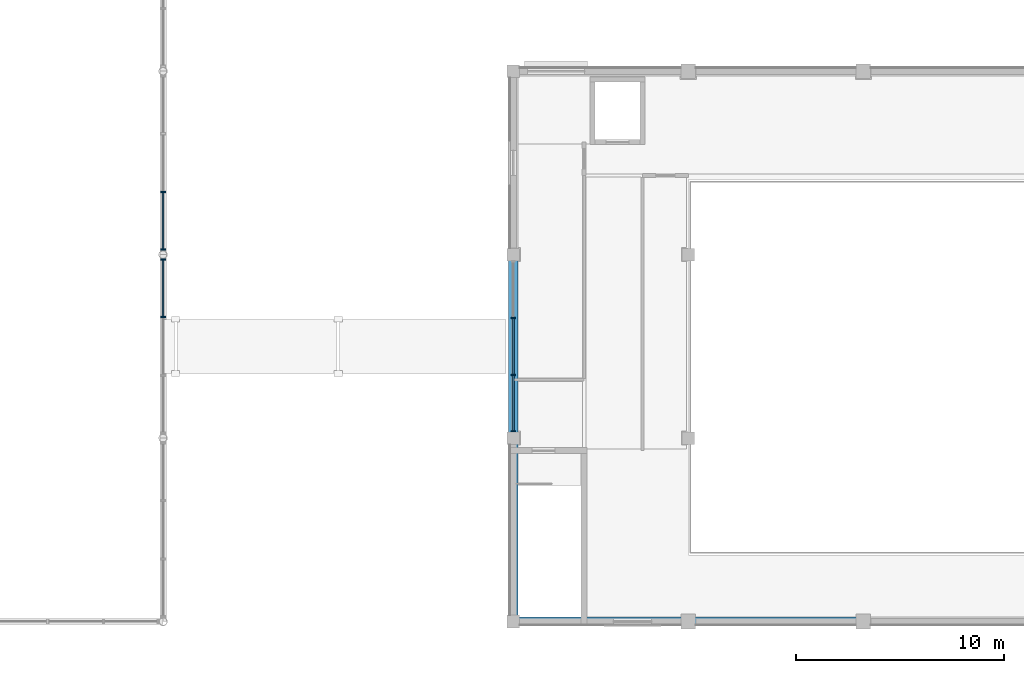
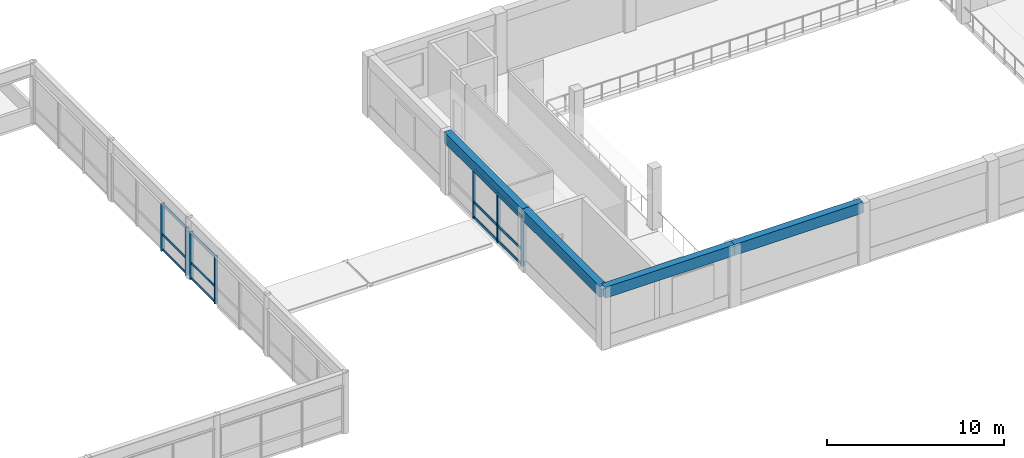
# One storey, part 7 of 46: 19 members, 4 beams, 3 elements without a shape of their own.
"""IFC4 building model written with IfcOpenShell, lengths in metres."""

from ifc_helpers import new_model, si_unit, direction, frame, origin, origin_2d, place, context, subcontext, project, spatial, rectangle, extrude, material, material_profile, profile_set, type_object, element, aggregate, save


model = new_model("IFC4")

# Units and contexts
model_context = context("Model", 3, precision=1e-05, world=origin(), true_north=direction((0.0, 1.0)))
body_context = subcontext(model_context, "Body", "Model", "MODEL_VIEW")
ifc_project = project(units=[si_unit("LENGTHUNIT", "METRE"), si_unit("AREAUNIT", "SQUARE_METRE"), si_unit("VOLUMEUNIT", "CUBIC_METRE"), si_unit("PLANEANGLEUNIT", "RADIAN"), si_unit("MASSUNIT", "GRAM", prefix="KILO")], contexts=[model_context])

# Site, building, storey
site_placement = place(None, origin())
site = spatial("IfcSite", under=ifc_project, at=site_placement, CompositionType="ELEMENT")
building_placement = place(site_placement, origin())
building = spatial("IfcBuilding", under=site, at=building_placement, Name="Kemercrest Conservatory and Botanical Centre", CompositionType="ELEMENT")
storey_placement = place(building_placement, frame((0.0, 0.0, 9.0)))
storey = spatial("IfcBuildingStorey", under=building, at=storey_placement, Name="L02", CompositionType="ELEMENT", Elevation=9.0)

# Curtain wall, members
ifc_material_1 = material(Name="Thermally broken aluminium and triple low-e glazing", Category="aluminium")
curtain_wall_type_1 = type_object("IfcCurtainWallType", Name="CW-30", PredefinedType="USERDEFINED", material=ifc_material_1)
curtain_wall_1_placement = place(storey_placement, origin())
curtain_wall_1 = element("IfcCurtainWall", 1, at=curtain_wall_1_placement, inside=storey, type_object=curtain_wall_type_1, Name="Unitised curtain wall CW-30 (CW:L02:V2-029)", ObjectType="UNITISED CURTAIN WALL", PredefinedType="USERDEFINED")
ifc_material_2 = material(Name="Thermally broken anodized aluminium 6063-T6", Category="aluminium")
ifc_material_profile_1 = material_profile(ifc_material_2, rectangle(XDim=0.199951171875, YDim=0.06494140625, at=origin_2d()), Name="AL MULLION 65x200")
ifc_profile_set_1 = profile_set([ifc_material_profile_1], Name="Thermally broken anodized aluminium 6063-T6")
member_type_1 = type_object("IfcMemberType", Name="CW-M200", PredefinedType="MULLION", material=ifc_profile_set_1)
member_1_placement = place(storey_placement, frame((58.39990234375, 31.368408203125, 0.0), z_axis=(0.0, 0.0, 1.0), x_axis=(1.0, 0.0, 0.0)))
member_1 = element("IfcMember", 2, at=member_1_placement, type_object=member_type_1, Name="CW-30 mullion 2", PredefinedType="MULLION", context=body_context, shape_type="SweptSolid", body=[
    extrude(rectangle(XDim=0.199951171875, YDim=0.06494140625, at=origin_2d()), origin(), (0.0, 0.0, 1.0), 3.455078125),
])
member_2_placement = place(storey_placement, frame((58.39990234375, 28.631591796875, 0.0), z_axis=(0.0, 0.0, 1.0), x_axis=(1.0, 0.0, 0.0)))
member_2 = element("IfcMember", 3, at=member_2_placement, type_object=member_type_1, Name="CW-30 mullion 3", PredefinedType="MULLION", context=body_context, shape_type="SweptSolid", body=[
    extrude(rectangle(XDim=0.199951171875, YDim=0.06494140625, at=origin_2d()), origin(), (0.0, 0.0, 1.0), 3.455078125),
])
member_3_placement = place(storey_placement, frame((58.39990234375, 25.927490234375, 0.0), z_axis=(0.0, 0.0, 1.0), x_axis=(1.0, 0.0, 0.0)))
member_3 = element("IfcMember", 4, at=member_3_placement, type_object=member_type_1, Name="CW-30 mullion 4", PredefinedType="MULLION", context=body_context, shape_type="SweptSolid", body=[
    extrude(rectangle(XDim=0.199951171875, YDim=0.06494140625, at=origin_2d()), origin(), (0.0, 0.0, 1.0), 3.455078125),
])

curtain_wall_type_2 = type_object("IfcCurtainWallType", Name="CW-23", PredefinedType="USERDEFINED", material=ifc_material_1)
curtain_wall_2_placement = place(storey_placement, origin())
curtain_wall_2 = element("IfcCurtainWall", 5, at=curtain_wall_2_placement, inside=storey, type_object=curtain_wall_type_2, Name="Unitised curtain wall CW-23 (CW:L02:V1-022)", ObjectType="UNITISED CURTAIN WALL", PredefinedType="USERDEFINED")
ifc_material_profile_2 = material_profile(ifc_material_2, rectangle(XDim=0.239990234375, YDim=0.074951171875, at=origin_2d()), Name="AL MULLION 75x240")
ifc_profile_set_2 = profile_set([ifc_material_profile_2], Name="Thermally broken anodized aluminium 6063-T6")
member_type_2 = type_object("IfcMemberType", Name="CW-M225", PredefinedType="MULLION", material=ifc_profile_set_2)
member_4_placement = place(storey_placement, frame((41.60009765625, 31.39990234375, 0.0), z_axis=(0.0, 0.0, 1.0), x_axis=(-1.0, 0.0, 0.0)))
member_4 = element("IfcMember", 6, at=member_4_placement, type_object=member_type_2, Name="CW-23 mullion 3", PredefinedType="MULLION", context=body_context, shape_type="SweptSolid", body=[
    extrude(rectangle(XDim=0.239990234375, YDim=0.074951171875, at=origin_2d()), origin(), (0.0, 0.0, 1.0), 3.278076171875),
])
member_5_placement = place(storey_placement, frame((41.60009765625, 34.16259765625, 0.0), z_axis=(0.0, 0.0, 1.0), x_axis=(-1.0, 0.0, 0.0)))
member_5 = element("IfcMember", 7, at=member_5_placement, type_object=member_type_2, Name="CW-23 mullion 4", PredefinedType="MULLION", context=body_context, shape_type="SweptSolid", body=[
    extrude(rectangle(XDim=0.239990234375, YDim=0.074951171875, at=origin_2d()), origin(), (0.0, 0.0, 1.0), 3.278076171875),
])

curtain_wall_type_3 = type_object("IfcCurtainWallType", Name="CW-24", PredefinedType="USERDEFINED", material=ifc_material_1)
curtain_wall_3_placement = place(storey_placement, origin())
curtain_wall_3 = element("IfcCurtainWall", 8, at=curtain_wall_3_placement, inside=storey, type_object=curtain_wall_type_3, Name="Unitised curtain wall CW-24 (CW:L02:V1-023)", ObjectType="UNITISED CURTAIN WALL", PredefinedType="USERDEFINED")
member_6_placement = place(storey_placement, frame((41.60009765625, 34.637451171875, 0.0), z_axis=(0.0, 0.0, 1.0), x_axis=(-1.0, 0.0, 0.0)))
member_6 = element("IfcMember", 9, at=member_6_placement, type_object=member_type_2, Name="CW-24 mullion 1", PredefinedType="MULLION", context=body_context, shape_type="SweptSolid", body=[
    extrude(rectangle(XDim=0.239990234375, YDim=0.074951171875, at=origin_2d()), origin(), (0.0, 0.0, 1.0), 3.278076171875),
])
member_7_placement = place(storey_placement, frame((41.60009765625, 37.39990234375, 0.0), z_axis=(0.0, 0.0, 1.0), x_axis=(-1.0, 0.0, 0.0)))
member_7 = element("IfcMember", 10, at=member_7_placement, type_object=member_type_2, Name="CW-24 mullion 2", PredefinedType="MULLION", context=body_context, shape_type="SweptSolid", body=[
    extrude(rectangle(XDim=0.239990234375, YDim=0.074951171875, at=origin_2d()), origin(), (0.0, 0.0, 1.0), 3.278076171875),
])

# Member
ifc_material_profile_3 = material_profile(ifc_material_2, rectangle(XDim=0.074951171875, YDim=0.179931640625, at=origin_2d()), Name="AL TRANSOM 75x180")
ifc_profile_set_3 = profile_set([ifc_material_profile_3], Name="Thermally broken anodized aluminium 6063-T6")
member_type_3 = type_object("IfcMemberType", Name="CW-T180", PredefinedType="USERDEFINED", material=ifc_profile_set_3)
member_8_placement = place(storey_placement, frame((58.39990234375, 31.3359375, 0.090087890625), z_axis=(0.0, -1.0, 0.0), x_axis=(1.0, 0.0, 0.0)))
member_8 = element("IfcMember", 11, at=member_8_placement, type_object=member_type_3, Name="CW-30 transom 2.1", ObjectType="TRANSOM", PredefinedType="USERDEFINED", context=body_context, shape_type="SweptSolid", body=[
    extrude(rectangle(XDim=0.074951171875, YDim=0.179931640625, at=origin_2d()), origin(), (0.0, 0.0, 1.0), 2.671875),
])

member_9_placement = place(storey_placement, frame((58.39990234375, 31.3359375, 1.1201171875), z_axis=(0.0, -1.0, 0.0), x_axis=(1.0, 0.0, 0.0)))
member_9 = element("IfcMember", 12, at=member_9_placement, type_object=member_type_3, Name="CW-30 transom 2.2", ObjectType="TRANSOM", PredefinedType="USERDEFINED", context=body_context, shape_type="SweptSolid", body=[
    extrude(rectangle(XDim=0.074951171875, YDim=0.179931640625, at=origin_2d()), origin(), (0.0, 0.0, 1.0), 2.671875),
])

member_10_placement = place(storey_placement, frame((58.39990234375, 31.3359375, 3.364990234375), z_axis=(0.0, -1.0, 0.0), x_axis=(1.0, 0.0, 0.0)))
member_10 = element("IfcMember", 13, at=member_10_placement, type_object=member_type_3, Name="CW-30 transom 2.3", ObjectType="TRANSOM", PredefinedType="USERDEFINED", context=body_context, shape_type="SweptSolid", body=[
    extrude(rectangle(XDim=0.074951171875, YDim=0.179931640625, at=origin_2d()), origin(), (0.0, 0.0, 1.0), 2.671875),
])

member_11_placement = place(storey_placement, frame((58.39990234375, 28.59912109375, 0.090087890625), z_axis=(0.0, -1.0, 0.0), x_axis=(1.0, 0.0, 0.0)))
member_11 = element("IfcMember", 14, at=member_11_placement, type_object=member_type_3, Name="CW-30 transom 3.1", ObjectType="TRANSOM", PredefinedType="USERDEFINED", context=body_context, shape_type="SweptSolid", body=[
    extrude(rectangle(XDim=0.074951171875, YDim=0.179931640625, at=origin_2d()), origin(), (0.0, 0.0, 1.0), 2.63916015625),
])

member_12_placement = place(storey_placement, frame((58.39990234375, 28.59912109375, 1.1201171875), z_axis=(0.0, -1.0, 0.0), x_axis=(1.0, 0.0, 0.0)))
member_12 = element("IfcMember", 15, at=member_12_placement, type_object=member_type_3, Name="CW-30 transom 3.2", ObjectType="TRANSOM", PredefinedType="USERDEFINED", context=body_context, shape_type="SweptSolid", body=[
    extrude(rectangle(XDim=0.074951171875, YDim=0.179931640625, at=origin_2d()), origin(), (0.0, 0.0, 1.0), 2.63916015625),
])

member_13_placement = place(storey_placement, frame((58.39990234375, 28.59912109375, 3.364990234375), z_axis=(0.0, -1.0, 0.0), x_axis=(1.0, 0.0, 0.0)))
member_13 = element("IfcMember", 16, at=member_13_placement, type_object=member_type_3, Name="CW-30 transom 3.3", ObjectType="TRANSOM", PredefinedType="USERDEFINED", context=body_context, shape_type="SweptSolid", body=[
    extrude(rectangle(XDim=0.074951171875, YDim=0.179931640625, at=origin_2d()), origin(), (0.0, 0.0, 1.0), 2.63916015625),
])

aggregate(curtain_wall_1, [member_1, member_2, member_3, member_8, member_9, member_10, member_11, member_12, member_13])

ifc_material_profile_4 = material_profile(ifc_material_2, rectangle(XDim=0.06494140625, YDim=0.14990234375, at=origin_2d()), Name="AL TRANSOM 65x150")
ifc_profile_set_4 = profile_set([ifc_material_profile_4], Name="Thermally broken anodized aluminium 6063-T6")
member_type_4 = type_object("IfcMemberType", Name="CW-T200", PredefinedType="USERDEFINED", material=ifc_profile_set_4)
member_14_placement = place(storey_placement, frame((41.60009765625, 31.4375, 0.074951171875), z_axis=(0.0, 1.0, 0.0), x_axis=(-1.0, 0.0, 0.0)))
member_14 = element("IfcMember", 17, at=member_14_placement, type_object=member_type_4, Name="CW-23 transom 3.1", ObjectType="TRANSOM", PredefinedType="USERDEFINED", context=body_context, shape_type="SweptSolid", body=[
    extrude(rectangle(XDim=0.06494140625, YDim=0.14990234375, at=origin_2d()), origin(), (0.0, 0.0, 1.0), 2.6875),
])

member_15_placement = place(storey_placement, frame((41.60009765625, 31.4375, 1.1201171875), z_axis=(0.0, 1.0, 0.0), x_axis=(-1.0, 0.0, 0.0)))
member_15 = element("IfcMember", 18, at=member_15_placement, type_object=member_type_4, Name="CW-23 transom 3.2", ObjectType="TRANSOM", PredefinedType="USERDEFINED", context=body_context, shape_type="SweptSolid", body=[
    extrude(rectangle(XDim=0.06494140625, YDim=0.14990234375, at=origin_2d()), origin(), (0.0, 0.0, 1.0), 2.6875),
])

member_16_placement = place(storey_placement, frame((41.60009765625, 31.4375, 3.202880859375), z_axis=(0.0, 1.0, 0.0), x_axis=(-1.0, 0.0, 0.0)))
member_16 = element("IfcMember", 19, at=member_16_placement, type_object=member_type_4, Name="CW-23 transom 3.3", ObjectType="TRANSOM", PredefinedType="USERDEFINED", context=body_context, shape_type="SweptSolid", body=[
    extrude(rectangle(XDim=0.06494140625, YDim=0.14990234375, at=origin_2d()), origin(), (0.0, 0.0, 1.0), 2.6875),
])

aggregate(curtain_wall_2, [member_4, member_5, member_14, member_15, member_16])

member_17_placement = place(storey_placement, frame((41.60009765625, 34.675048828125, 0.074951171875), z_axis=(0.0, 1.0, 0.0), x_axis=(-1.0, 0.0, 0.0)))
member_17 = element("IfcMember", 20, at=member_17_placement, type_object=member_type_4, Name="CW-24 transom 1.1", ObjectType="TRANSOM", PredefinedType="USERDEFINED", context=body_context, shape_type="SweptSolid", body=[
    extrude(rectangle(XDim=0.06494140625, YDim=0.14990234375, at=origin_2d()), origin(), (0.0, 0.0, 1.0), 2.6875),
])

member_18_placement = place(storey_placement, frame((41.60009765625, 34.675048828125, 1.1201171875), z_axis=(0.0, 1.0, 0.0), x_axis=(-1.0, 0.0, 0.0)))
member_18 = element("IfcMember", 21, at=member_18_placement, type_object=member_type_4, Name="CW-24 transom 1.2", ObjectType="TRANSOM", PredefinedType="USERDEFINED", context=body_context, shape_type="SweptSolid", body=[
    extrude(rectangle(XDim=0.06494140625, YDim=0.14990234375, at=origin_2d()), origin(), (0.0, 0.0, 1.0), 2.6875),
])

member_19_placement = place(storey_placement, frame((41.60009765625, 34.675048828125, 3.202880859375), z_axis=(0.0, 1.0, 0.0), x_axis=(-1.0, 0.0, 0.0)))
member_19 = element("IfcMember", 22, at=member_19_placement, type_object=member_type_4, Name="CW-24 transom 1.3", ObjectType="TRANSOM", PredefinedType="USERDEFINED", context=body_context, shape_type="SweptSolid", body=[
    extrude(rectangle(XDim=0.06494140625, YDim=0.14990234375, at=origin_2d()), origin(), (0.0, 0.0, 1.0), 2.6875),
])

aggregate(curtain_wall_3, [member_6, member_7, member_17, member_18, member_19])

# Beams
ifc_material_3 = material(Name="Concrete C40/50", Category="concrete")
ifc_material_profile_5 = material_profile(ifc_material_3, rectangle(XDim=0.449951171875, YDim=0.75, at=origin_2d()), Name="RC 450x750")
ifc_profile_set_5 = profile_set([ifc_material_profile_5], Name="Concrete C40/50")
beam_type = type_object("IfcBeamType", Name="SP-RC75", PredefinedType="SPANDREL", material=ifc_profile_set_5)
beam_1_placement = place(storey_placement, frame((58.39990234375, 16.800048828125, 3.824951171875), z_axis=(1.0, 0.0, 0.0), x_axis=(0.0, 1.0, 0.0)))
element("IfcBeam", 23, at=beam_1_placement, inside=storey, type_object=beam_type, Name="Auditorium roof ring spandrel beam", PredefinedType="SPANDREL", context=body_context, shape_type="SweptSolid", body=[
    extrude(rectangle(XDim=0.449951171875, YDim=0.75, at=origin_2d()), origin(), (0.0, 0.0, 1.0), 8.400146484375),
])
beam_2_placement = place(storey_placement, frame((66.800048828125, 16.800048828125, 3.824951171875), z_axis=(1.0, 0.0, 0.0), x_axis=(0.0, 1.0, 0.0)))
element("IfcBeam", 24, at=beam_2_placement, inside=storey, type_object=beam_type, Name="Auditorium roof ring spandrel beam", PredefinedType="SPANDREL", context=body_context, shape_type="SweptSolid", body=[
    extrude(rectangle(XDim=0.449951171875, YDim=0.75, at=origin_2d()), origin(), (0.0, 0.0, 1.0), 8.39990234375),
])
beam_3_placement = place(storey_placement, frame((58.39990234375, 16.800048828125, 3.824951171875), z_axis=(0.0, 1.0, 0.0), x_axis=(-1.0, 0.0, 0.0)))
element("IfcBeam", 25, at=beam_3_placement, inside=storey, type_object=beam_type, Name="Auditorium gable ring spandrel beam", PredefinedType="SPANDREL", context=body_context, shape_type="SweptSolid", body=[
    extrude(rectangle(XDim=0.449951171875, YDim=0.75, at=origin_2d()), origin(), (0.0, 0.0, 1.0), 8.800048828125),
])
beam_4_placement = place(storey_placement, frame((58.39990234375, 25.60009765625, 3.824951171875), z_axis=(0.0, 1.0, 0.0), x_axis=(-1.0, 0.0, 0.0)))
element("IfcBeam", 26, at=beam_4_placement, inside=storey, type_object=beam_type, Name="Auditorium gable ring spandrel beam", PredefinedType="SPANDREL", context=body_context, shape_type="SweptSolid", body=[
    extrude(rectangle(XDim=0.449951171875, YDim=0.75, at=origin_2d()), origin(), (0.0, 0.0, 1.0), 8.7998046875),
])

save(model, "model.ifc")
